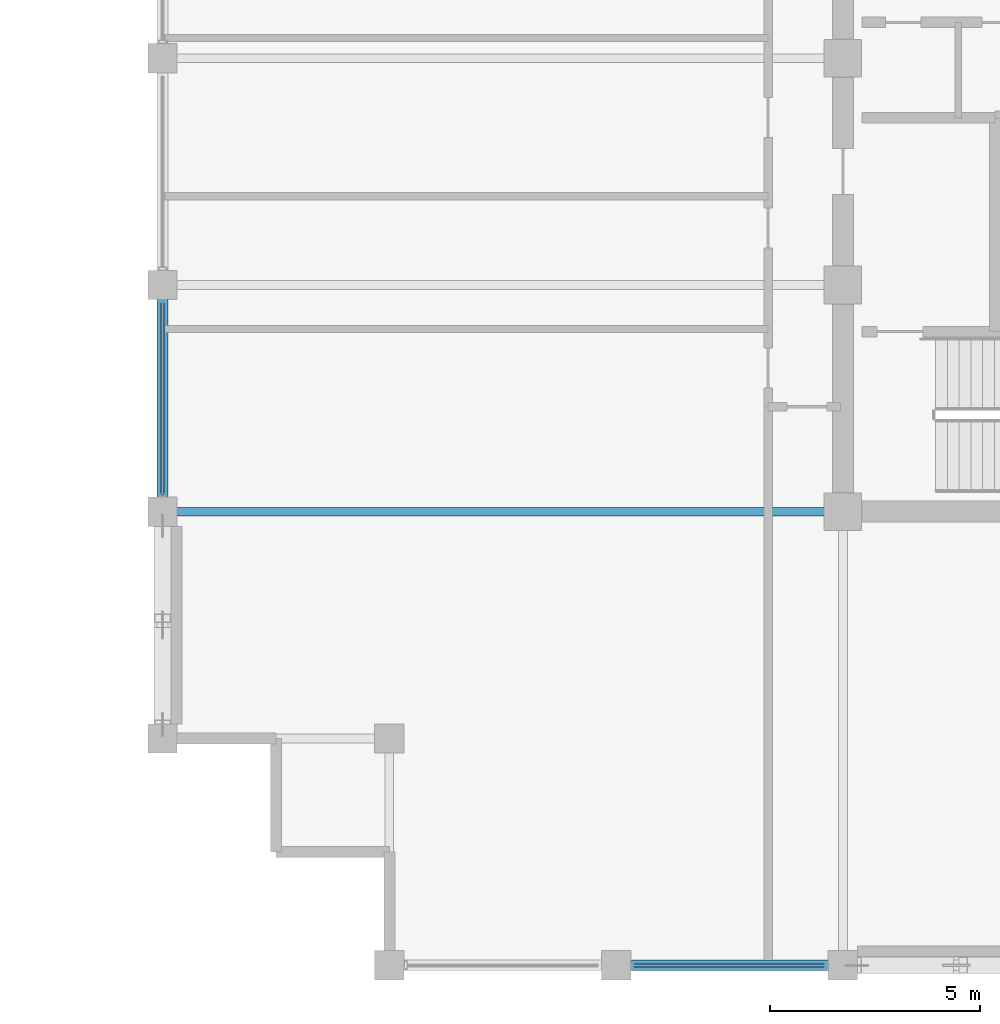
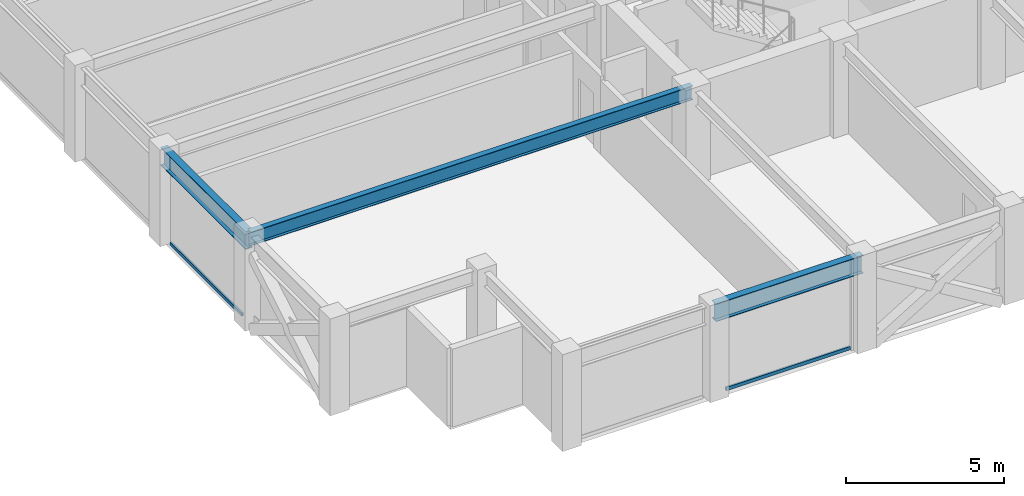
# One storey, part 3 of 31: 3 beams, 2 members, 2 elements without a shape of their own.
"""IFC4 building model written with IfcOpenShell, lengths in metres."""

from ifc_helpers import new_model, si_unit, direction, frame, origin, origin_2d, place, context, subcontext, project, spatial, hollow_rectangle, i_section, extrude, material, layer, layer_set, material_profile, profile_set, type_object, element, aggregate, save


model = new_model("IFC4")

# Units and contexts
model_context = context("Model", 3, precision=1e-05, world=origin(), true_north=direction((0.0, 1.0)))
body_context = subcontext(model_context, "Body", "Model", "MODEL_VIEW")
ifc_project = project(units=[si_unit("LENGTHUNIT", "METRE"), si_unit("AREAUNIT", "SQUARE_METRE"), si_unit("VOLUMEUNIT", "CUBIC_METRE"), si_unit("PLANEANGLEUNIT", "RADIAN"), si_unit("MASSUNIT", "GRAM", prefix="KILO")], contexts=[model_context])

# Site, building, storey
site_placement = place(None, origin())
site = spatial("IfcSite", under=ifc_project, at=site_placement, CompositionType="ELEMENT")
building_placement = place(site_placement, origin())
building = spatial("IfcBuilding", under=site, at=building_placement, Name="Surkhivell Harbour Commons", CompositionType="ELEMENT")
storey_placement = place(building_placement, frame((0.0, 0.0, 266.25)))
storey = spatial("IfcBuildingStorey", under=building, at=storey_placement, Name="L69", CompositionType="ELEMENT", Elevation=266.25)

# Beams
ifc_material_1 = material(Name="Steel S355", Category="steel")
ifc_material_profile_1 = material_profile(ifc_material_1, i_section(OverallWidth=0.2099609375, OverallDepth=0.537109375, WebThickness=0.0107421875, FlangeThickness=0.017333984375, at=origin_2d()), Name="UB533x210x101")
ifc_profile_set_1 = profile_set([ifc_material_profile_1], Name="Steel S355")
beam_type_1 = type_object("IfcBeamType", Name="BM-GRD-533B", PredefinedType="BEAM", material=ifc_profile_set_1)
beam_1_placement = place(storey_placement, frame((-27.0, -10.800048828125, 3.301513671875), z_axis=(1.0, 0.0, 0.0), x_axis=(0.0, 1.0, 0.0)))
element("IfcBeam", 1, at=beam_1_placement, inside=storey, type_object=beam_type_1, Name="L69 Floor Girder (-27.0,-10.8)", PredefinedType="BEAM", context=body_context, shape_type="SweptSolid", body=[
    extrude(i_section(OverallWidth=0.2099609375, OverallDepth=0.537109375, WebThickness=0.0107421875, FlangeThickness=0.017333984375, at=origin_2d()), origin(), (0.0, 0.0, 1.0), 16.199951171875),
])
ifc_material_profile_2 = material_profile(ifc_material_1, i_section(OverallWidth=0.256103515625, OverallDepth=0.693115234375, WebThickness=0.014404296875, FlangeThickness=0.023681640625, at=origin_2d()), Name="UB686x254x170")
ifc_profile_set_2 = profile_set([ifc_material_profile_2], Name="Steel S355")
beam_type_2 = type_object("IfcBeamType", Name="BM-SPN-686", PredefinedType="SPANDREL", material=ifc_profile_set_2)
beam_2_placement = place(storey_placement, frame((-27.0, -10.800048828125, 3.223388671875), z_axis=(0.0, 1.0, 0.0), x_axis=(-1.0, 0.0, 0.0)))
element("IfcBeam", 2, at=beam_2_placement, inside=storey, type_object=beam_type_2, Name="L69 Tube Spandrel (-27.0,-10.8)", PredefinedType="SPANDREL", context=body_context, shape_type="SweptSolid", body=[
    extrude(i_section(OverallWidth=0.256103515625, OverallDepth=0.693115234375, WebThickness=0.014404296875, FlangeThickness=0.023681640625, at=origin_2d()), origin(), (0.0, 0.0, 1.0), 5.400146484375),
])
beam_3_placement = place(storey_placement, frame((-16.199951171875, -21.60009765625, 3.223388671875), z_axis=(1.0, 0.0, 0.0), x_axis=(0.0, 1.0, 0.0)))
element("IfcBeam", 3, at=beam_3_placement, inside=storey, type_object=beam_type_2, Name="L69 Tube Spandrel (-16.2,-21.6)", PredefinedType="SPANDREL", context=body_context, shape_type="SweptSolid", body=[
    extrude(i_section(OverallWidth=0.256103515625, OverallDepth=0.693115234375, WebThickness=0.014404296875, FlangeThickness=0.023681640625, at=origin_2d()), origin(), (0.0, 0.0, 1.0), 5.39990234375),
])

# Curtain wall, member
ifc_material_2 = material(Name="Anodised pale-metal aluminium and insulated glazing", Category="aluminium")
ifc_layer = layer(ifc_material_2, 0.175048828125)
ifc_layer_set = layer_set([ifc_layer], Name="Anodised pale-metal aluminium and insulated glazing")
curtain_wall_type = type_object("IfcCurtainWallType", Name="CW-SYS-Z4", PredefinedType="NOTDEFINED", material=ifc_layer_set)
curtain_wall_1_placement = place(storey_placement, origin())
curtain_wall_1 = element("IfcCurtainWall", 4, at=curtain_wall_1_placement, inside=storey, type_object=curtain_wall_type, Name="L69 Curtain Wall CW-L69-E00S1", PredefinedType="NOTDEFINED")
ifc_material_3 = material(Name="Champagne anodised aluminium alloy 6063-T6", Category="aluminium")
ifc_material_profile_3 = material_profile(ifc_material_3, hollow_rectangle(XDim=0.070068359375, YDim=0.1298828125, WallThickness=0.00341796875, at=origin_2d()), Name="ALU-TRAN-70x130")
ifc_profile_set_3 = profile_set([ifc_material_profile_3], Name="Champagne anodised aluminium alloy 6063-T6")
member_type = type_object("IfcMemberType", Name="CWT-130", PredefinedType="USERDEFINED", material=ifc_profile_set_3)
member_1_placement = place(storey_placement, frame((-15.77294921875, -21.60009765625, 0.06494140625), z_axis=(1.0, 0.0, 0.0), x_axis=(0.0, 1.0, 0.0)))
member_1 = element("IfcMember", 5, at=member_1_placement, type_object=member_type, Name="CW-Z4 transom 2.1", ObjectType="TRANSOM", PredefinedType="USERDEFINED", context=body_context, shape_type="SweptSolid", body=[
    extrude(hollow_rectangle(XDim=0.070068359375, YDim=0.1298828125, WallThickness=0.00341796875, at=origin_2d()), origin(), (0.0, 0.0, 1.0), 4.5458984375),
])
aggregate(curtain_wall_1, [member_1])

curtain_wall_2_placement = place(storey_placement, origin())
curtain_wall_2 = element("IfcCurtainWall", 6, at=curtain_wall_2_placement, inside=storey, type_object=curtain_wall_type, Name="L69 Curtain Wall CW-L69-E12R1S1", PredefinedType="NOTDEFINED")
member_2_placement = place(storey_placement, frame((-27.0, -10.373046875, 0.06494140625), z_axis=(0.0, 1.0, 0.0), x_axis=(-1.0, 0.0, 0.0)))
member_2 = element("IfcMember", 7, at=member_2_placement, type_object=member_type, Name="CW-Z4 transom 1.1", ObjectType="TRANSOM", PredefinedType="USERDEFINED", context=body_context, shape_type="SweptSolid", body=[
    extrude(hollow_rectangle(XDim=0.070068359375, YDim=0.1298828125, WallThickness=0.00341796875, at=origin_2d()), origin(), (0.0, 0.0, 1.0), 4.546142578125),
])
aggregate(curtain_wall_2, [member_2])

save(model, "model.ifc")
